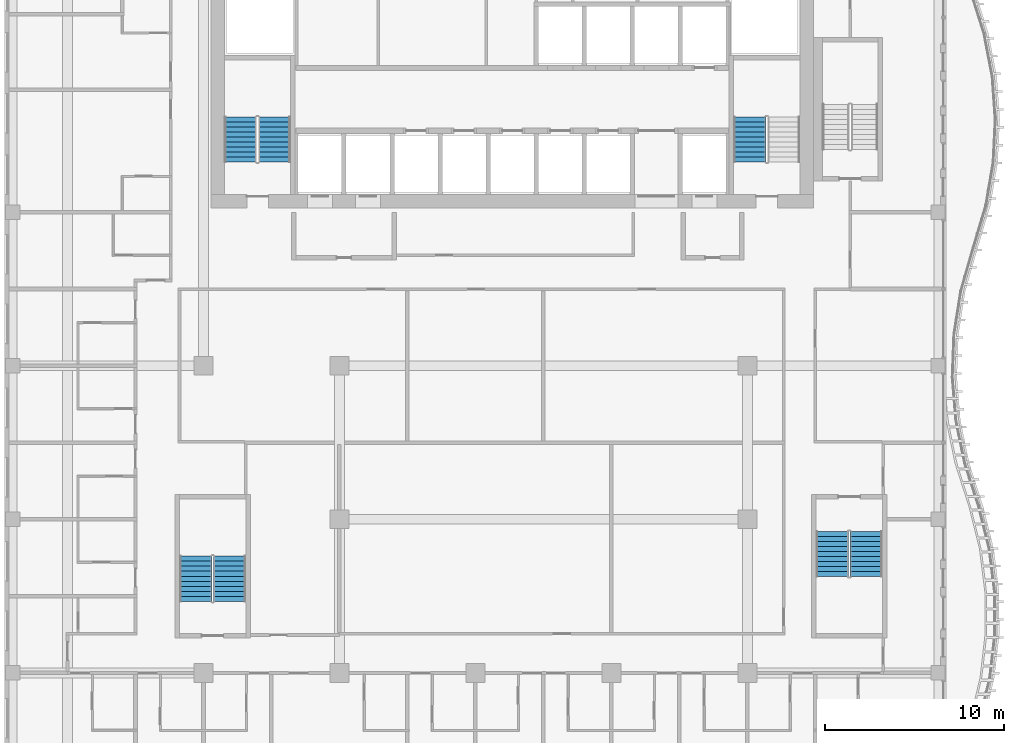
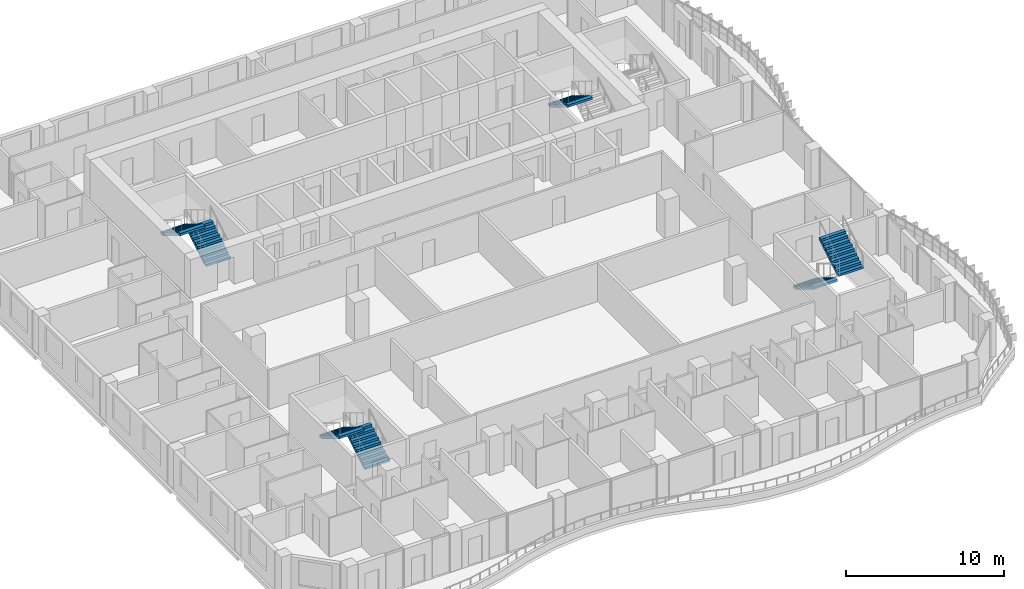
# One storey, part 19 of 24: 7 stair flights, 4 elements without a shape of their own.
"""IFC4 building model written with IfcOpenShell, lengths in metres."""

from ifc_helpers import new_model, si_unit, direction, frame, origin, place, context, subcontext, project, spatial, triangles, source, transform, mapped, material, type_object, element, aggregate, save


model = new_model("IFC4")

# Units and contexts
model_context = context("Model", 3, precision=1e-05, world=origin(), true_north=direction((0.0, 1.0)))
body_context = subcontext(model_context, "Body", "Model", "MODEL_VIEW")
ifc_project = project(units=[si_unit("LENGTHUNIT", "METRE"), si_unit("AREAUNIT", "SQUARE_METRE"), si_unit("VOLUMEUNIT", "CUBIC_METRE"), si_unit("PLANEANGLEUNIT", "RADIAN"), si_unit("MASSUNIT", "GRAM", prefix="KILO")], contexts=[model_context])

# Site, building, storey
site_placement = place(None, origin())
site = spatial("IfcSite", under=ifc_project, at=site_placement, CompositionType="ELEMENT")
building_placement = place(site_placement, origin())
building = spatial("IfcBuilding", under=site, at=building_placement, Name="Kilnfold Tower and Market Hall", CompositionType="ELEMENT")
storey_placement = place(building_placement, frame((0.0, 0.0, 192.300048828125)))
storey = spatial("IfcBuildingStorey", under=building, at=storey_placement, Name="L46", CompositionType="ELEMENT", Elevation=192.300048828125)

# Stair, stair flights
ifc_material_1 = material(Name="Concrete C40/50", Category="concrete")
stair_type = type_object("IfcStairType", Name="CORE STAIR 1800", PredefinedType="HALF_TURN_STAIR", material=ifc_material_1)
stair_1_placement = place(storey_placement, origin())
stair_1 = element("IfcStair", 1, at=stair_1_placement, inside=storey, type_object=stair_type, Name="L46 ST1", PredefinedType="HALF_TURN_STAIR")
ifc_material_2 = material(Name="Concrete C40/50", Category="concrete")
stair_flight_type = type_object("IfcStairFlightType", Name="CORE STAIR FLIGHT 1800", PredefinedType="STRAIGHT", material=ifc_material_2)
shared_shape = source(origin(), body_context, "Body", "Tessellation", [
    triangles([(0.0, 0.89990234375, 0.0), (0.0, 0.78759765625, 0.0), (0.0, 0.675048828125, 0.0), (0.0, 0.5625, 0.0), (0.0, 0.449951171875, 0.0), (0.0, 0.33740234375, 0.0), (0.0, 0.22509765625, 0.0), (0.0, 0.112548828125, 0.0), (0.0, 0.0, 0.0), (0.0, -0.112548828125, 0.0), (0.0, -0.22509765625, 0.0), (0.0, -0.33740234375, 0.0), (0.0, -0.449951171875, 0.0), (0.0, -0.5625, 0.0), (0.0, -0.675048828125, 0.0), (0.0, -0.78759765625, 0.0), (0.0, -0.89990234375, 0.0), (0.0, 0.89990234375, 0.169921875), (0.0, 0.78759765625, 0.169921875), (0.0, 0.675048828125, 0.169921875), (0.0, 0.5625, 0.169921875), (0.0, 0.449951171875, 0.169921875), (0.0, 0.33740234375, 0.169921875), (0.0, 0.22509765625, 0.169921875), (0.0, 0.112548828125, 0.169921875), (0.0, 0.0, 0.169921875), (0.0, -0.112548828125, 0.169921875), (0.0, -0.22509765625, 0.169921875), (0.0, -0.33740234375, 0.169921875), (0.0, -0.449951171875, 0.169921875), (0.0, -0.5625, 0.169921875), (0.0, -0.675048828125, 0.169921875), (0.0, -0.78759765625, 0.169921875), (0.0, -0.89990234375, 0.169921875), (0.280029296875, 0.89990234375, 0.169921875), (0.280029296875, 0.78759765625, 0.169921875), (0.280029296875, 0.675048828125, 0.169921875), (0.280029296875, 0.5625, 0.169921875), (0.280029296875, 0.449951171875, 0.169921875), (0.280029296875, 0.33740234375, 0.169921875), (0.280029296875, 0.22509765625, 0.169921875), (0.280029296875, 0.112548828125, 0.169921875), (0.280029296875, 0.0, 0.169921875), (0.280029296875, -0.112548828125, 0.169921875), (0.280029296875, -0.22509765625, 0.169921875), (0.280029296875, -0.33740234375, 0.169921875), (0.280029296875, -0.449951171875, 0.169921875), (0.280029296875, -0.5625, 0.169921875), (0.280029296875, -0.675048828125, 0.169921875), (0.280029296875, -0.78759765625, 0.169921875), (0.280029296875, -0.89990234375, 0.169921875), (0.280029296875, 0.89990234375, 0.340087890625), (0.280029296875, 0.78759765625, 0.340087890625), (0.280029296875, 0.675048828125, 0.340087890625), (0.280029296875, 0.5625, 0.340087890625), (0.280029296875, 0.449951171875, 0.340087890625), (0.280029296875, 0.33740234375, 0.340087890625), (0.280029296875, 0.22509765625, 0.340087890625), (0.280029296875, 0.112548828125, 0.340087890625), (0.280029296875, 0.0, 0.340087890625), (0.280029296875, -0.112548828125, 0.340087890625), (0.280029296875, -0.22509765625, 0.340087890625), (0.280029296875, -0.33740234375, 0.340087890625), (0.280029296875, -0.449951171875, 0.340087890625), (0.280029296875, -0.5625, 0.340087890625), (0.280029296875, -0.675048828125, 0.340087890625), (0.280029296875, -0.78759765625, 0.340087890625), (0.280029296875, -0.89990234375, 0.340087890625), (0.56005859375, 0.89990234375, 0.340087890625), (0.56005859375, 0.78759765625, 0.340087890625), (0.56005859375, 0.675048828125, 0.340087890625), (0.56005859375, 0.5625, 0.340087890625), (0.56005859375, 0.449951171875, 0.340087890625), (0.56005859375, 0.33740234375, 0.340087890625), (0.56005859375, 0.22509765625, 0.340087890625), (0.56005859375, 0.112548828125, 0.340087890625), (0.56005859375, 0.0, 0.340087890625), (0.56005859375, -0.112548828125, 0.340087890625), (0.56005859375, -0.22509765625, 0.340087890625), (0.56005859375, -0.33740234375, 0.340087890625), (0.56005859375, -0.449951171875, 0.340087890625), (0.56005859375, -0.5625, 0.340087890625), (0.56005859375, -0.675048828125, 0.340087890625), (0.56005859375, -0.78759765625, 0.340087890625), (0.56005859375, -0.89990234375, 0.340087890625), (0.56005859375, 0.89990234375, 0.510009765625), (0.56005859375, 0.78759765625, 0.510009765625), (0.56005859375, 0.675048828125, 0.510009765625), (0.56005859375, 0.5625, 0.510009765625), (0.56005859375, 0.449951171875, 0.510009765625), (0.56005859375, 0.33740234375, 0.510009765625), (0.56005859375, 0.22509765625, 0.510009765625), (0.56005859375, 0.112548828125, 0.510009765625), (0.56005859375, 0.0, 0.510009765625), (0.56005859375, -0.112548828125, 0.510009765625), (0.56005859375, -0.22509765625, 0.510009765625), (0.56005859375, -0.33740234375, 0.510009765625), (0.56005859375, -0.449951171875, 0.510009765625), (0.56005859375, -0.5625, 0.510009765625), (0.56005859375, -0.675048828125, 0.510009765625), (0.56005859375, -0.78759765625, 0.510009765625), (0.56005859375, -0.89990234375, 0.510009765625), (0.840087890625, 0.89990234375, 0.510009765625), (0.840087890625, 0.78759765625, 0.510009765625), (0.840087890625, 0.675048828125, 0.510009765625), (0.840087890625, 0.5625, 0.510009765625), (0.840087890625, 0.449951171875, 0.510009765625), (0.840087890625, 0.33740234375, 0.510009765625), (0.840087890625, 0.22509765625, 0.510009765625), (0.840087890625, 0.112548828125, 0.510009765625), (0.840087890625, 0.0, 0.510009765625), (0.840087890625, -0.112548828125, 0.510009765625), (0.840087890625, -0.22509765625, 0.510009765625), (0.840087890625, -0.33740234375, 0.510009765625), (0.840087890625, -0.449951171875, 0.510009765625), (0.840087890625, -0.5625, 0.510009765625), (0.840087890625, -0.675048828125, 0.510009765625), (0.840087890625, -0.78759765625, 0.510009765625), (0.840087890625, -0.89990234375, 0.510009765625), (0.840087890625, 0.89990234375, 0.679931640625), (0.840087890625, 0.78759765625, 0.679931640625), (0.840087890625, 0.675048828125, 0.679931640625), (0.840087890625, 0.5625, 0.679931640625), (0.840087890625, 0.449951171875, 0.679931640625), (0.840087890625, 0.33740234375, 0.679931640625), (0.840087890625, 0.22509765625, 0.679931640625), (0.840087890625, 0.112548828125, 0.679931640625), (0.840087890625, 0.0, 0.679931640625), (0.840087890625, -0.112548828125, 0.679931640625), (0.840087890625, -0.22509765625, 0.679931640625), (0.840087890625, -0.33740234375, 0.679931640625), (0.840087890625, -0.449951171875, 0.679931640625), (0.840087890625, -0.5625, 0.679931640625), (0.840087890625, -0.675048828125, 0.679931640625), (0.840087890625, -0.78759765625, 0.679931640625), (0.840087890625, -0.89990234375, 0.679931640625), (1.1201171875, 0.89990234375, 0.679931640625), (1.1201171875, 0.78759765625, 0.679931640625), (1.1201171875, 0.675048828125, 0.679931640625), (1.1201171875, 0.5625, 0.679931640625), (1.1201171875, 0.449951171875, 0.679931640625), (1.1201171875, 0.33740234375, 0.679931640625), (1.1201171875, 0.22509765625, 0.679931640625), (1.1201171875, 0.112548828125, 0.679931640625), (1.1201171875, 0.0, 0.679931640625), (1.1201171875, -0.112548828125, 0.679931640625), (1.1201171875, -0.22509765625, 0.679931640625), (1.1201171875, -0.33740234375, 0.679931640625), (1.1201171875, -0.449951171875, 0.679931640625), (1.1201171875, -0.5625, 0.679931640625), (1.1201171875, -0.675048828125, 0.679931640625), (1.1201171875, -0.78759765625, 0.679931640625), (1.1201171875, -0.89990234375, 0.679931640625), (1.1201171875, 0.89990234375, 0.85009765625), (1.1201171875, 0.78759765625, 0.85009765625), (1.1201171875, 0.675048828125, 0.85009765625), (1.1201171875, 0.5625, 0.85009765625), (1.1201171875, 0.449951171875, 0.85009765625), (1.1201171875, 0.33740234375, 0.85009765625), (1.1201171875, 0.22509765625, 0.85009765625), (1.1201171875, 0.112548828125, 0.85009765625), (1.1201171875, 0.0, 0.85009765625), (1.1201171875, -0.112548828125, 0.85009765625), (1.1201171875, -0.22509765625, 0.85009765625), (1.1201171875, -0.33740234375, 0.85009765625), (1.1201171875, -0.449951171875, 0.85009765625), (1.1201171875, -0.5625, 0.85009765625), (1.1201171875, -0.675048828125, 0.85009765625), (1.1201171875, -0.78759765625, 0.85009765625), (1.1201171875, -0.89990234375, 0.85009765625), (1.39990234375, 0.89990234375, 0.85009765625), (1.39990234375, 0.78759765625, 0.85009765625), (1.39990234375, 0.675048828125, 0.85009765625), (1.39990234375, 0.5625, 0.85009765625), (1.39990234375, 0.449951171875, 0.85009765625), (1.39990234375, 0.33740234375, 0.85009765625), (1.39990234375, 0.22509765625, 0.85009765625), (1.39990234375, 0.112548828125, 0.85009765625), (1.39990234375, 0.0, 0.85009765625), (1.39990234375, -0.112548828125, 0.85009765625), (1.39990234375, -0.22509765625, 0.85009765625), (1.39990234375, -0.33740234375, 0.85009765625), (1.39990234375, -0.449951171875, 0.85009765625), (1.39990234375, -0.5625, 0.85009765625), (1.39990234375, -0.675048828125, 0.85009765625), (1.39990234375, -0.78759765625, 0.85009765625), (1.39990234375, -0.89990234375, 0.85009765625), (1.39990234375, 0.89990234375, 1.02001953125), (1.39990234375, 0.78759765625, 1.02001953125), (1.39990234375, 0.675048828125, 1.02001953125), (1.39990234375, 0.5625, 1.02001953125), (1.39990234375, 0.449951171875, 1.02001953125), (1.39990234375, 0.33740234375, 1.02001953125), (1.39990234375, 0.22509765625, 1.02001953125), (1.39990234375, 0.112548828125, 1.02001953125), (1.39990234375, 0.0, 1.02001953125), (1.39990234375, -0.112548828125, 1.02001953125), (1.39990234375, -0.22509765625, 1.02001953125), (1.39990234375, -0.33740234375, 1.02001953125), (1.39990234375, -0.449951171875, 1.02001953125), (1.39990234375, -0.5625, 1.02001953125), (1.39990234375, -0.675048828125, 1.02001953125), (1.39990234375, -0.78759765625, 1.02001953125), (1.39990234375, -0.89990234375, 1.02001953125), (1.679931640625, 0.89990234375, 1.02001953125), (1.679931640625, 0.78759765625, 1.02001953125), (1.679931640625, 0.675048828125, 1.02001953125), (1.679931640625, 0.5625, 1.02001953125), (1.679931640625, 0.449951171875, 1.02001953125), (1.679931640625, 0.33740234375, 1.02001953125), (1.679931640625, 0.22509765625, 1.02001953125), (1.679931640625, 0.112548828125, 1.02001953125), (1.679931640625, 0.0, 1.02001953125), (1.679931640625, -0.112548828125, 1.02001953125), (1.679931640625, -0.22509765625, 1.02001953125), (1.679931640625, -0.33740234375, 1.02001953125), (1.679931640625, -0.449951171875, 1.02001953125), (1.679931640625, -0.5625, 1.02001953125), (1.679931640625, -0.675048828125, 1.02001953125), (1.679931640625, -0.78759765625, 1.02001953125), (1.679931640625, -0.89990234375, 1.02001953125), (1.679931640625, 0.89990234375, 1.18994140625), (1.679931640625, 0.78759765625, 1.18994140625), (1.679931640625, 0.675048828125, 1.18994140625), (1.679931640625, 0.5625, 1.18994140625), (1.679931640625, 0.449951171875, 1.18994140625), (1.679931640625, 0.33740234375, 1.18994140625), (1.679931640625, 0.22509765625, 1.18994140625), (1.679931640625, 0.112548828125, 1.18994140625), (1.679931640625, 0.0, 1.18994140625), (1.679931640625, -0.112548828125, 1.18994140625), (1.679931640625, -0.22509765625, 1.18994140625), (1.679931640625, -0.33740234375, 1.18994140625), (1.679931640625, -0.449951171875, 1.18994140625), (1.679931640625, -0.5625, 1.18994140625), (1.679931640625, -0.675048828125, 1.18994140625), (1.679931640625, -0.78759765625, 1.18994140625), (1.679931640625, -0.89990234375, 1.18994140625), (1.9599609375, 0.89990234375, 1.18994140625), (1.9599609375, 0.78759765625, 1.18994140625), (1.9599609375, 0.675048828125, 1.18994140625), (1.9599609375, 0.5625, 1.18994140625), (1.9599609375, 0.449951171875, 1.18994140625), (1.9599609375, 0.33740234375, 1.18994140625), (1.9599609375, 0.22509765625, 1.18994140625), (1.9599609375, 0.112548828125, 1.18994140625), (1.9599609375, 0.0, 1.18994140625), (1.9599609375, -0.112548828125, 1.18994140625), (1.9599609375, -0.22509765625, 1.18994140625), (1.9599609375, -0.33740234375, 1.18994140625), (1.9599609375, -0.449951171875, 1.18994140625), (1.9599609375, -0.5625, 1.18994140625), (1.9599609375, -0.675048828125, 1.18994140625), (1.9599609375, -0.78759765625, 1.18994140625), (1.9599609375, -0.89990234375, 1.18994140625), (1.9599609375, 0.89990234375, 1.360107421875), (1.9599609375, 0.78759765625, 1.360107421875), (1.9599609375, 0.675048828125, 1.360107421875), (1.9599609375, 0.5625, 1.360107421875), (1.9599609375, 0.449951171875, 1.360107421875), (1.9599609375, 0.33740234375, 1.360107421875), (1.9599609375, 0.22509765625, 1.360107421875), (1.9599609375, 0.112548828125, 1.360107421875), (1.9599609375, 0.0, 1.360107421875), (1.9599609375, -0.112548828125, 1.360107421875), (1.9599609375, -0.22509765625, 1.360107421875), (1.9599609375, -0.33740234375, 1.360107421875), (1.9599609375, -0.449951171875, 1.360107421875), (1.9599609375, -0.5625, 1.360107421875), (1.9599609375, -0.675048828125, 1.360107421875), (1.9599609375, -0.78759765625, 1.360107421875), (1.9599609375, -0.89990234375, 1.360107421875), (2.239990234375, 0.89990234375, 1.360107421875), (2.239990234375, 0.78759765625, 1.360107421875), (2.239990234375, 0.675048828125, 1.360107421875), (2.239990234375, 0.5625, 1.360107421875), (2.239990234375, 0.449951171875, 1.360107421875), (2.239990234375, 0.33740234375, 1.360107421875), (2.239990234375, 0.22509765625, 1.360107421875), (2.239990234375, 0.112548828125, 1.360107421875), (2.239990234375, 0.0, 1.360107421875), (2.239990234375, -0.112548828125, 1.360107421875), (2.239990234375, -0.22509765625, 1.360107421875), (2.239990234375, -0.33740234375, 1.360107421875), (2.239990234375, -0.449951171875, 1.360107421875), (2.239990234375, -0.5625, 1.360107421875), (2.239990234375, -0.675048828125, 1.360107421875), (2.239990234375, -0.78759765625, 1.360107421875), (2.239990234375, -0.89990234375, 1.360107421875), (2.239990234375, 0.89990234375, 1.530029296875), (2.239990234375, 0.78759765625, 1.530029296875), (2.239990234375, 0.675048828125, 1.530029296875), (2.239990234375, 0.5625, 1.530029296875), (2.239990234375, 0.449951171875, 1.530029296875), (2.239990234375, 0.33740234375, 1.530029296875), (2.239990234375, 0.22509765625, 1.530029296875), (2.239990234375, 0.112548828125, 1.530029296875), (2.239990234375, 0.0, 1.530029296875), (2.239990234375, -0.112548828125, 1.530029296875), (2.239990234375, -0.22509765625, 1.530029296875), (2.239990234375, -0.33740234375, 1.530029296875), (2.239990234375, -0.449951171875, 1.530029296875), (2.239990234375, -0.5625, 1.530029296875), (2.239990234375, -0.675048828125, 1.530029296875), (2.239990234375, -0.78759765625, 1.530029296875), (2.239990234375, -0.89990234375, 1.530029296875), (2.52001953125, 0.89990234375, 1.530029296875), (2.52001953125, 0.78759765625, 1.530029296875), (2.52001953125, 0.675048828125, 1.530029296875), (2.52001953125, 0.5625, 1.530029296875), (2.52001953125, 0.449951171875, 1.530029296875), (2.52001953125, 0.33740234375, 1.530029296875), (2.52001953125, 0.22509765625, 1.530029296875), (2.52001953125, 0.112548828125, 1.530029296875), (2.52001953125, 0.0, 1.530029296875), (2.52001953125, -0.112548828125, 1.530029296875), (2.52001953125, -0.22509765625, 1.530029296875), (2.52001953125, -0.33740234375, 1.530029296875), (2.52001953125, -0.449951171875, 1.530029296875), (2.52001953125, -0.5625, 1.530029296875), (2.52001953125, -0.675048828125, 1.530029296875), (2.52001953125, -0.78759765625, 1.530029296875), (2.52001953125, -0.89990234375, 1.530029296875), (2.52001953125, 0.89990234375, 1.354736328125), (2.52001953125, 0.78759765625, 1.354736328125), (2.52001953125, 0.675048828125, 1.354736328125), (2.52001953125, 0.5625, 1.354736328125), (2.52001953125, 0.449951171875, 1.354736328125), (2.52001953125, 0.33740234375, 1.354736328125), (2.52001953125, 0.22509765625, 1.354736328125), (2.52001953125, 0.112548828125, 1.354736328125), (2.52001953125, 0.0, 1.354736328125), (2.52001953125, -0.112548828125, 1.354736328125), (2.52001953125, -0.22509765625, 1.354736328125), (2.52001953125, -0.33740234375, 1.354736328125), (2.52001953125, -0.449951171875, 1.354736328125), (2.52001953125, -0.5625, 1.354736328125), (2.52001953125, -0.675048828125, 1.354736328125), (2.52001953125, -0.78759765625, 1.354736328125), (2.52001953125, -0.89990234375, 1.354736328125), (0.288818359375, 0.89990234375, 0.0), (0.288818359375, 0.78759765625, 0.0), (0.288818359375, 0.675048828125, 0.0), (0.288818359375, 0.5625, 0.0), (0.288818359375, 0.449951171875, 0.0), (0.288818359375, 0.33740234375, 0.0), (0.288818359375, 0.22509765625, 0.0), (0.288818359375, 0.112548828125, 0.0), (0.288818359375, 0.0, 0.0), (0.288818359375, -0.112548828125, 0.0), (0.288818359375, -0.22509765625, 0.0), (0.288818359375, -0.33740234375, 0.0), (0.288818359375, -0.449951171875, 0.0), (0.288818359375, -0.5625, 0.0), (0.288818359375, -0.675048828125, 0.0), (0.288818359375, -0.78759765625, 0.0), (0.288818359375, -0.89990234375, 0.0)], [[1, 324, 341], [17, 357, 340], [324, 290, 307], [340, 323, 306], [324, 273, 290], [340, 306, 289], [324, 256, 273], [340, 289, 272], [324, 239, 256], [340, 272, 255], [239, 205, 222], [255, 238, 221], [324, 205, 239], [340, 255, 221], [205, 171, 188], [221, 204, 187], [324, 171, 205], [340, 221, 187], [171, 137, 154], [187, 170, 153], [324, 137, 171], [340, 187, 153], [137, 103, 120], [153, 136, 119], [324, 103, 137], [340, 153, 119], [103, 69, 86], [119, 102, 85], [324, 69, 103], [340, 119, 85], [69, 35, 52], [85, 68, 51], [324, 35, 69], [340, 85, 51], [1, 35, 324], [17, 340, 51], [35, 1, 18], [51, 34, 17], [1, 19, 18], [1, 2, 19], [2, 20, 19], [2, 3, 20], [3, 21, 20], [3, 4, 21], [4, 22, 21], [4, 5, 22], [5, 23, 22], [5, 6, 23], [6, 24, 23], [6, 7, 24], [7, 25, 24], [7, 8, 25], [8, 26, 25], [8, 9, 26], [9, 27, 26], [9, 10, 27], [10, 28, 27], [10, 11, 28], [11, 29, 28], [11, 12, 29], [12, 30, 29], [12, 13, 30], [13, 31, 30], [13, 14, 31], [14, 32, 31], [14, 15, 32], [15, 33, 32], [15, 16, 33], [16, 34, 33], [16, 17, 34], [18, 36, 35], [18, 19, 36], [19, 37, 36], [19, 20, 37], [20, 38, 37], [20, 21, 38], [21, 39, 38], [21, 22, 39], [22, 40, 39], [22, 23, 40], [23, 41, 40], [23, 24, 41], [24, 42, 41], [24, 25, 42], [25, 43, 42], [25, 26, 43], [26, 44, 43], [26, 27, 44], [27, 45, 44], [27, 28, 45], [28, 46, 45], [28, 29, 46], [29, 47, 46], [29, 30, 47], [30, 48, 47], [30, 31, 48], [31, 49, 48], [31, 32, 49], [32, 50, 49], [32, 33, 50], [33, 51, 50], [33, 34, 51], [35, 53, 52], [35, 36, 53], [36, 54, 53], [36, 37, 54], [37, 55, 54], [37, 38, 55], [38, 56, 55], [38, 39, 56], [39, 57, 56], [39, 40, 57], [40, 58, 57], [40, 41, 58], [41, 59, 58], [41, 42, 59], [42, 60, 59], [42, 43, 60], [43, 61, 60], [43, 44, 61], [44, 62, 61], [44, 45, 62], [45, 63, 62], [45, 46, 63], [46, 64, 63], [46, 47, 64], [47, 65, 64], [47, 48, 65], [48, 66, 65], [48, 49, 66], [49, 67, 66], [49, 50, 67], [50, 68, 67], [50, 51, 68], [52, 70, 69], [52, 53, 70], [53, 71, 70], [53, 54, 71], [54, 72, 71], [54, 55, 72], [55, 73, 72], [55, 56, 73], [56, 74, 73], [56, 57, 74], [57, 75, 74], [57, 58, 75], [58, 76, 75], [58, 59, 76], [59, 77, 76], [59, 60, 77], [60, 78, 77], [60, 61, 78], [61, 79, 78], [61, 62, 79], [62, 80, 79], [62, 63, 80], [63, 81, 80], [63, 64, 81], [64, 82, 81], [64, 65, 82], [65, 83, 82], [65, 66, 83], [66, 84, 83], [66, 67, 84], [67, 85, 84], [67, 68, 85], [69, 87, 86], [69, 70, 87], [70, 88, 87], [70, 71, 88], [71, 89, 88], [71, 72, 89], [72, 90, 89], [72, 73, 90], [73, 91, 90], [73, 74, 91], [74, 92, 91], [74, 75, 92], [75, 93, 92], [75, 76, 93], [76, 94, 93], [76, 77, 94], [77, 95, 94], [77, 78, 95], [78, 96, 95], [78, 79, 96], [79, 97, 96], [79, 80, 97], [80, 98, 97], [80, 81, 98], [81, 99, 98], [81, 82, 99], [82, 100, 99], [82, 83, 100], [83, 101, 100], [83, 84, 101], [84, 102, 101], [84, 85, 102], [86, 104, 103], [86, 87, 104], [87, 105, 104], [87, 88, 105], [88, 106, 105], [88, 89, 106], [89, 107, 106], [89, 90, 107], [90, 108, 107], [90, 91, 108], [91, 109, 108], [91, 92, 109], [92, 110, 109], [92, 93, 110], [93, 111, 110], [93, 94, 111], [94, 112, 111], [94, 95, 112], [95, 113, 112], [95, 96, 113], [96, 114, 113], [96, 97, 114], [97, 115, 114], [97, 98, 115], [98, 116, 115], [98, 99, 116], [99, 117, 116], [99, 100, 117], [100, 118, 117], [100, 101, 118], [101, 119, 118], [101, 102, 119], [103, 121, 120], [103, 104, 121], [104, 122, 121], [104, 105, 122], [105, 123, 122], [105, 106, 123], [106, 124, 123], [106, 107, 124], [107, 125, 124], [107, 108, 125], [108, 126, 125], [108, 109, 126], [109, 127, 126], [109, 110, 127], [110, 128, 127], [110, 111, 128], [111, 129, 128], [111, 112, 129], [112, 130, 129], [112, 113, 130], [113, 131, 130], [113, 114, 131], [114, 132, 131], [114, 115, 132], [115, 133, 132], [115, 116, 133], [116, 134, 133], [116, 117, 134], [117, 135, 134], [117, 118, 135], [118, 136, 135], [118, 119, 136], [120, 138, 137], [120, 121, 138], [121, 139, 138], [121, 122, 139], [122, 140, 139], [122, 123, 140], [123, 141, 140], [123, 124, 141], [124, 142, 141], [124, 125, 142], [125, 143, 142], [125, 126, 143], [126, 144, 143], [126, 127, 144], [127, 145, 144], [127, 128, 145], [128, 146, 145], [128, 129, 146], [129, 147, 146], [129, 130, 147], [130, 148, 147], [130, 131, 148], [131, 149, 148], [131, 132, 149], [132, 150, 149], [132, 133, 150], [133, 151, 150], [133, 134, 151], [134, 152, 151], [134, 135, 152], [135, 153, 152], [135, 136, 153], [137, 155, 154], [137, 138, 155], [138, 156, 155], [138, 139, 156], [139, 157, 156], [139, 140, 157], [140, 158, 157], [140, 141, 158], [141, 159, 158], [141, 142, 159], [142, 160, 159], [142, 143, 160], [143, 161, 160], [143, 144, 161], [144, 162, 161], [144, 145, 162], [145, 163, 162], [145, 146, 163], [146, 164, 163], [146, 147, 164], [147, 165, 164], [147, 148, 165], [148, 166, 165], [148, 149, 166], [149, 167, 166], [149, 150, 167], [150, 168, 167], [150, 151, 168], [151, 169, 168], [151, 152, 169], [152, 170, 169], [152, 153, 170], [154, 172, 171], [154, 155, 172], [155, 173, 172], [155, 156, 173], [156, 174, 173], [156, 157, 174], [157, 175, 174], [157, 158, 175], [158, 176, 175], [158, 159, 176], [159, 177, 176], [159, 160, 177], [160, 178, 177], [160, 161, 178], [161, 179, 178], [161, 162, 179], [162, 180, 179], [162, 163, 180], [163, 181, 180], [163, 164, 181], [164, 182, 181], [164, 165, 182], [165, 183, 182], [165, 166, 183], [166, 184, 183], [166, 167, 184], [167, 185, 184], [167, 168, 185], [168, 186, 185], [168, 169, 186], [169, 187, 186], [169, 170, 187], [171, 189, 188], [171, 172, 189], [172, 190, 189], [172, 173, 190], [173, 191, 190], [173, 174, 191], [174, 192, 191], [174, 175, 192], [175, 193, 192], [175, 176, 193], [176, 194, 193], [176, 177, 194], [177, 195, 194], [177, 178, 195], [178, 196, 195], [178, 179, 196], [179, 197, 196], [179, 180, 197], [180, 198, 197], [180, 181, 198], [181, 199, 198], [181, 182, 199], [182, 200, 199], [182, 183, 200], [183, 201, 200], [183, 184, 201], [184, 202, 201], [184, 185, 202], [185, 203, 202], [185, 186, 203], [186, 204, 203], [186, 187, 204], [188, 206, 205], [188, 189, 206], [189, 207, 206], [189, 190, 207], [190, 208, 207], [190, 191, 208], [191, 209, 208], [191, 192, 209], [192, 210, 209], [192, 193, 210], [193, 211, 210], [193, 194, 211], [194, 212, 211], [194, 195, 212], [195, 213, 212], [195, 196, 213], [196, 214, 213], [196, 197, 214], [197, 215, 214], [197, 198, 215], [198, 216, 215], [198, 199, 216], [199, 217, 216], [199, 200, 217], [200, 218, 217], [200, 201, 218], [201, 219, 218], [201, 202, 219], [202, 220, 219], [202, 203, 220], [203, 221, 220], [203, 204, 221], [205, 223, 222], [205, 206, 223], [206, 224, 223], [206, 207, 224], [207, 225, 224], [207, 208, 225], [208, 226, 225], [208, 209, 226], [209, 227, 226], [209, 210, 227], [210, 228, 227], [210, 211, 228], [211, 229, 228], [211, 212, 229], [212, 230, 229], [212, 213, 230], [213, 231, 230], [213, 214, 231], [214, 232, 231], [214, 215, 232], [215, 233, 232], [215, 216, 233], [216, 234, 233], [216, 217, 234], [217, 235, 234], [217, 218, 235], [218, 236, 235], [218, 219, 236], [219, 237, 236], [219, 220, 237], [220, 238, 237], [220, 221, 238], [222, 240, 239], [222, 223, 240], [223, 241, 240], [223, 224, 241], [224, 242, 241], [224, 225, 242], [225, 243, 242], [225, 226, 243], [226, 244, 243], [226, 227, 244], [227, 245, 244], [227, 228, 245], [228, 246, 245], [228, 229, 246], [229, 247, 246], [229, 230, 247], [230, 248, 247], [230, 231, 248], [231, 249, 248], [231, 232, 249], [232, 250, 249], [232, 233, 250], [233, 251, 250], [233, 234, 251], [234, 252, 251], [234, 235, 252], [235, 253, 252], [235, 236, 253], [236, 254, 253], [236, 237, 254], [237, 255, 254], [237, 238, 255], [239, 257, 256], [239, 240, 257], [240, 258, 257], [240, 241, 258], [241, 259, 258], [241, 242, 259], [242, 260, 259], [242, 243, 260], [243, 261, 260], [243, 244, 261], [244, 262, 261], [244, 245, 262], [245, 263, 262], [245, 246, 263], [246, 264, 263], [246, 247, 264], [247, 265, 264], [247, 248, 265], [248, 266, 265], [248, 249, 266], [249, 267, 266], [249, 250, 267], [250, 268, 267], [250, 251, 268], [251, 269, 268], [251, 252, 269], [252, 270, 269], [252, 253, 270], [253, 271, 270], [253, 254, 271], [254, 272, 271], [254, 255, 272], [256, 274, 273], [256, 257, 274], [257, 275, 274], [257, 258, 275], [258, 276, 275], [258, 259, 276], [259, 277, 276], [259, 260, 277], [260, 278, 277], [260, 261, 278], [261, 279, 278], [261, 262, 279], [262, 280, 279], [262, 263, 280], [263, 281, 280], [263, 264, 281], [264, 282, 281], [264, 265, 282], [265, 283, 282], [265, 266, 283], [266, 284, 283], [266, 267, 284], [267, 285, 284], [267, 268, 285], [268, 286, 285], [268, 269, 286], [269, 287, 286], [269, 270, 287], [270, 288, 287], [270, 271, 288], [271, 289, 288], [271, 272, 289], [273, 291, 290], [273, 274, 291], [274, 292, 291], [274, 275, 292], [275, 293, 292], [275, 276, 293], [276, 294, 293], [276, 277, 294], [277, 295, 294], [277, 278, 295], [278, 296, 295], [278, 279, 296], [279, 297, 296], [279, 280, 297], [280, 298, 297], [280, 281, 298], [281, 299, 298], [281, 282, 299], [282, 300, 299], [282, 283, 300], [283, 301, 300], [283, 284, 301], [284, 302, 301], [284, 285, 302], [285, 303, 302], [285, 286, 303], [286, 304, 303], [286, 287, 304], [287, 305, 304], [287, 288, 305], [288, 306, 305], [288, 289, 306], [290, 308, 307], [290, 291, 308], [291, 309, 308], [291, 292, 309], [292, 310, 309], [292, 293, 310], [293, 311, 310], [293, 294, 311], [294, 312, 311], [294, 295, 312], [295, 313, 312], [295, 296, 313], [296, 314, 313], [296, 297, 314], [297, 315, 314], [297, 298, 315], [298, 316, 315], [298, 299, 316], [299, 317, 316], [299, 300, 317], [300, 318, 317], [300, 301, 318], [301, 319, 318], [301, 302, 319], [302, 320, 319], [302, 303, 320], [303, 321, 320], [303, 304, 321], [304, 322, 321], [304, 305, 322], [305, 323, 322], [305, 306, 323], [307, 325, 324], [307, 308, 325], [308, 326, 325], [308, 309, 326], [309, 327, 326], [309, 310, 327], [310, 328, 327], [310, 311, 328], [311, 329, 328], [311, 312, 329], [312, 330, 329], [312, 313, 330], [313, 331, 330], [313, 314, 331], [314, 332, 331], [314, 315, 332], [315, 333, 332], [315, 316, 333], [316, 334, 333], [316, 317, 334], [317, 335, 334], [317, 318, 335], [318, 336, 335], [318, 319, 336], [319, 337, 336], [319, 320, 337], [320, 338, 337], [320, 321, 338], [321, 339, 338], [321, 322, 339], [322, 340, 339], [322, 323, 340], [324, 342, 341], [324, 325, 342], [325, 343, 342], [325, 326, 343], [326, 344, 343], [326, 327, 344], [327, 345, 344], [327, 328, 345], [328, 346, 345], [328, 329, 346], [329, 347, 346], [329, 330, 347], [330, 348, 347], [330, 331, 348], [331, 349, 348], [331, 332, 349], [332, 350, 349], [332, 333, 350], [333, 351, 350], [333, 334, 351], [334, 352, 351], [334, 335, 352], [335, 353, 352], [335, 336, 353], [336, 354, 353], [336, 337, 354], [337, 355, 354], [337, 338, 355], [338, 356, 355], [338, 339, 356], [339, 357, 356], [339, 340, 357], [341, 2, 1], [341, 342, 2], [342, 3, 2], [342, 343, 3], [343, 4, 3], [343, 344, 4], [344, 5, 4], [344, 345, 5], [345, 6, 5], [345, 346, 6], [346, 7, 6], [346, 347, 7], [347, 8, 7], [347, 348, 8], [348, 9, 8], [348, 349, 9], [349, 10, 9], [349, 350, 10], [350, 11, 10], [350, 351, 11], [351, 12, 11], [351, 352, 12], [352, 13, 12], [352, 353, 13], [353, 14, 13], [353, 354, 14], [354, 15, 14], [354, 355, 15], [355, 16, 15], [355, 356, 16], [356, 17, 16], [356, 357, 17]], closed=True),
])
stair_flight_1_placement = place(storey_placement, frame((-12.199951171875, 10.800048828125, 0.0), z_axis=(0.0, 0.0, 1.0), x_axis=(0.0, 1.0, 0.0)))
stair_flight_1 = element("IfcStairFlight", 2, at=stair_flight_1_placement, type_object=stair_flight_type, Name="ST1 flight 1", NumberOfRisers=10, NumberOfTreads=9, PredefinedType="STRAIGHT", RiserHeight=0.17, TreadLength=0.28, context=body_context, shape_type="MappedRepresentation", body=[
    mapped(shared_shape, transform((0.0, 0.0, 0.0))),
])
stair_flight_2_placement = place(storey_placement, frame((-14.10009765625, 13.320068359375, 1.699951171875), z_axis=(0.0, 0.0, 1.0), x_axis=(0.0, -1.0, 0.0)))
stair_flight_2 = element("IfcStairFlight", 3, at=stair_flight_2_placement, type_object=stair_flight_type, Name="ST1 flight 2", NumberOfRisers=10, NumberOfTreads=9, PredefinedType="STRAIGHT", RiserHeight=0.17, TreadLength=0.28, context=body_context, shape_type="MappedRepresentation", body=[
    mapped(shared_shape, transform((0.0, 0.0, 0.0))),
])
aggregate(stair_1, [stair_flight_1, stair_flight_2])

# Stair, stair flight
stair_2_placement = place(storey_placement, origin())
stair_2 = element("IfcStair", 4, at=stair_2_placement, inside=storey, type_object=stair_type, Name="L46 ST2", PredefinedType="HALF_TURN_STAIR")
stair_flight_3_placement = place(storey_placement, frame((14.300048828125, 13.320068359375, 1.699951171875), z_axis=(0.0, 0.0, 1.0), x_axis=(0.0, -1.0, 0.0)))
stair_flight_3 = element("IfcStairFlight", 5, at=stair_flight_3_placement, type_object=stair_flight_type, Name="ST2 flight 2", NumberOfRisers=10, NumberOfTreads=9, PredefinedType="STRAIGHT", RiserHeight=0.17, TreadLength=0.28, context=body_context, shape_type="MappedRepresentation", body=[
    mapped(shared_shape, transform((0.0, 0.0, 0.0))),
])
aggregate(stair_2, [stair_flight_3])

# Stair, stair flights
stair_3_placement = place(storey_placement, origin())
stair_3 = element("IfcStair", 6, at=stair_3_placement, inside=storey, type_object=stair_type, Name="L46 ST3", PredefinedType="HALF_TURN_STAIR")
stair_flight_4_placement = place(storey_placement, frame((-14.699951171875, -13.699951171875, 0.0), z_axis=(0.0, 0.0, 1.0), x_axis=(0.0, 1.0, 0.0)))
stair_flight_4 = element("IfcStairFlight", 7, at=stair_flight_4_placement, type_object=stair_flight_type, Name="ST3 flight 1", NumberOfRisers=10, NumberOfTreads=9, PredefinedType="STRAIGHT", RiserHeight=0.17, TreadLength=0.28, context=body_context, shape_type="MappedRepresentation", body=[
    mapped(shared_shape, transform((0.0, 0.0, 0.0))),
])
stair_flight_5_placement = place(storey_placement, frame((-16.60009765625, -11.179931640625, 1.699951171875), z_axis=(0.0, 0.0, 1.0), x_axis=(0.0, -1.0, 0.0)))
stair_flight_5 = element("IfcStairFlight", 8, at=stair_flight_5_placement, type_object=stair_flight_type, Name="ST3 flight 2", NumberOfRisers=10, NumberOfTreads=9, PredefinedType="STRAIGHT", RiserHeight=0.17, TreadLength=0.28, context=body_context, shape_type="MappedRepresentation", body=[
    mapped(shared_shape, transform((0.0, 0.0, 0.0))),
])
aggregate(stair_3, [stair_flight_4, stair_flight_5])

stair_4_placement = place(storey_placement, origin())
stair_4 = element("IfcStair", 9, at=stair_4_placement, inside=storey, type_object=stair_type, Name="L46 ST4", PredefinedType="HALF_TURN_STAIR")
stair_flight_6_placement = place(storey_placement, frame((18.89990234375, -9.800048828125, 0.0), z_axis=(0.0, 0.0, 1.0), x_axis=(0.0, -1.0, 0.0)))
stair_flight_6 = element("IfcStairFlight", 10, at=stair_flight_6_placement, type_object=stair_flight_type, Name="ST4 flight 1", NumberOfRisers=10, NumberOfTreads=9, PredefinedType="STRAIGHT", RiserHeight=0.17, TreadLength=0.28, context=body_context, shape_type="MappedRepresentation", body=[
    mapped(shared_shape, transform((0.0, 0.0, 0.0))),
])
stair_flight_7_placement = place(storey_placement, frame((20.800048828125, -12.320068359375, 1.699951171875), z_axis=(0.0, 0.0, 1.0), x_axis=(0.0, 1.0, 0.0)))
stair_flight_7 = element("IfcStairFlight", 11, at=stair_flight_7_placement, type_object=stair_flight_type, Name="ST4 flight 2", NumberOfRisers=10, NumberOfTreads=9, PredefinedType="STRAIGHT", RiserHeight=0.17, TreadLength=0.28, context=body_context, shape_type="MappedRepresentation", body=[
    mapped(shared_shape, transform((0.0, 0.0, 0.0))),
])
aggregate(stair_4, [stair_flight_6, stair_flight_7])

save(model, "model.ifc")
